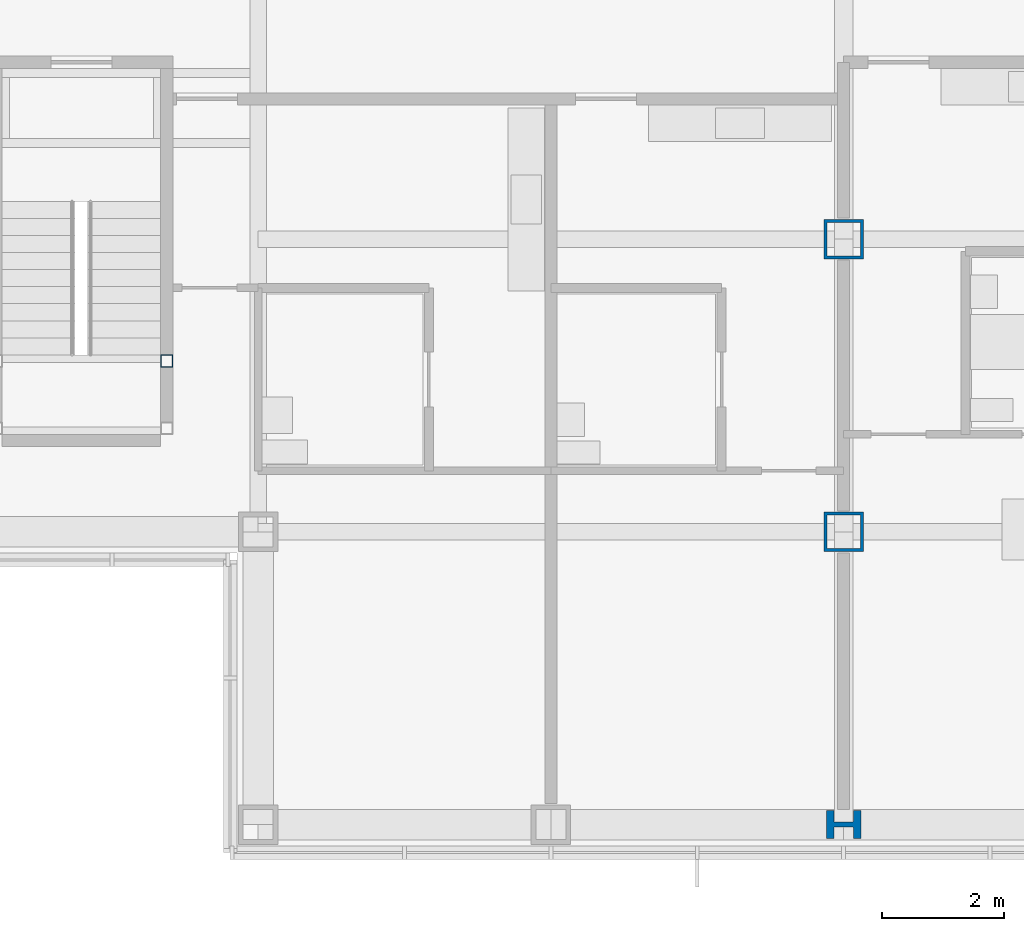
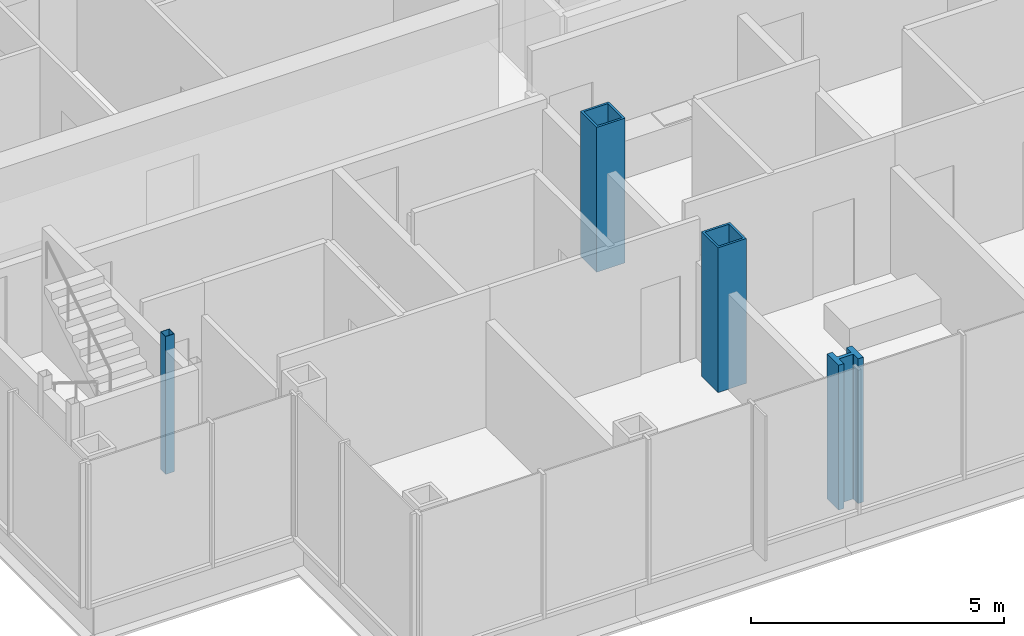
# One storey, part 2 of 20: 4 columns.
"""IFC4 building model written with IfcOpenShell, lengths in metres."""

from ifc_helpers import new_model, si_unit, direction, frame, origin, origin_2d, place, context, subcontext, project, spatial, hollow_rectangle, i_section, extrude, material, material_profile, profile_set, type_object, element, save


model = new_model("IFC4")

# Units and contexts
model_context = context("Model", 3, precision=1e-05, world=origin(), true_north=direction((0.0, 1.0)))
body_context = subcontext(model_context, "Body", "Model", "MODEL_VIEW")
ifc_project = project(units=[si_unit("LENGTHUNIT", "METRE"), si_unit("AREAUNIT", "SQUARE_METRE"), si_unit("VOLUMEUNIT", "CUBIC_METRE"), si_unit("PLANEANGLEUNIT", "RADIAN"), si_unit("MASSUNIT", "GRAM", prefix="KILO")], contexts=[model_context])

# Site, building, storey
site_placement = place(None, origin())
site = spatial("IfcSite", under=ifc_project, at=site_placement, CompositionType="ELEMENT")
building_placement = place(site_placement, origin())
building = spatial("IfcBuilding", under=site, at=building_placement, Name="Kvirike Care Tower", CompositionType="ELEMENT")
storey_placement = place(building_placement, frame((0.0, 0.0, 105.0)))
storey = spatial("IfcBuildingStorey", under=building, at=storey_placement, Name="L28", CompositionType="ELEMENT", Elevation=105.0)

# Columns
ifc_material_1 = material(Name="Steel S460", Category="steel")
ifc_material_profile_1 = material_profile(ifc_material_1, hollow_rectangle(XDim=0.64990234375, YDim=0.64990234375, WallThickness=0.050048828125, at=origin_2d()), Name="BX 650x650x50")
ifc_profile_set_1 = profile_set([ifc_material_profile_1], Name="Steel S460")
column_type_1 = type_object("IfcColumnType", Name="COLUMN BX 650x650x50", PredefinedType="COLUMN", material=ifc_profile_set_1)
for number, where, z_axis, x_axis, name in (
    (1, (28.800048828125, 19.199951171875, 0.0), (0.0, 0.0, 1.0), (1.0, 0.0, 0.0), "Column E9 L28"),
    (2, (28.800048828125, 24.0, 0.0), (0.0, 0.0, 1.0), (1.0, 0.0, 0.0), "Column F9 L28"),
):
    element("IfcColumn", number, at=place(storey_placement, frame(where, z_axis=z_axis, x_axis=x_axis)), inside=storey, type_object=column_type_1, Name=name, PredefinedType="COLUMN", context=body_context, shape_type="SweptSolid", body=[
        extrude(hollow_rectangle(XDim=0.64990234375, YDim=0.64990234375, WallThickness=0.050048828125, at=origin_2d()), origin(), (0.0, 0.0, 1.0), 3.5),
    ])
ifc_material_2 = material(Name="Steel S460", Category="steel")
ifc_material_profile_2 = material_profile(ifc_material_2, i_section(OverallWidth=0.4541015625, OverallDepth=0.569091796875, WebThickness=0.077880859375, FlangeThickness=0.125, FilletRadius=0.014892578125, at=origin_2d()), Name="HD 400x1086")
ifc_profile_set_2 = profile_set([ifc_material_profile_2], Name="Steel S460")
column_type_2 = type_object("IfcColumnType", Name="COLUMN HD 400x1086", PredefinedType="COLUMN", material=ifc_profile_set_2)
column_1_placement = place(storey_placement, frame((28.800048828125, 14.39990234375, 0.0), z_axis=(0.0, 0.0, 1.0), x_axis=(0.0, 1.0, 0.0)))
element("IfcColumn", 3, at=column_1_placement, inside=storey, type_object=column_type_2, Name="Column D9 L28", PredefinedType="COLUMN", context=body_context, shape_type="SweptSolid", body=[
    extrude(i_section(OverallWidth=0.4541015625, OverallDepth=0.569091796875, WebThickness=0.077880859375, FlangeThickness=0.125, FilletRadius=0.014892578125, at=origin_2d()), origin(), (0.0, 0.0, 1.0), 3.5),
])
ifc_material_3 = material(Name="Steel S460", Category="steel")
ifc_material_profile_3 = material_profile(ifc_material_3, hollow_rectangle(XDim=0.199951171875, YDim=0.199951171875, WallThickness=0.008056640625, at=origin_2d()), Name="SHS 200x200x8")
ifc_profile_set_3 = profile_set([ifc_material_profile_3], Name="Steel S460")
column_type_3 = type_object("IfcColumnType", Name="STAIR POST SHS 200x200x8", PredefinedType="COLUMN", material=ifc_profile_set_3)
column_2_placement = place(storey_placement, frame((17.699951171875, 22.0, 0.0), z_axis=(0.0, 0.0, 1.0), x_axis=(1.0, 0.0, 0.0)))
element("IfcColumn", 4, at=column_2_placement, inside=storey, type_object=column_type_3, Name="Stair 5 post 4 L28", PredefinedType="COLUMN", context=body_context, shape_type="SweptSolid", body=[
    extrude(hollow_rectangle(XDim=0.199951171875, YDim=0.199951171875, WallThickness=0.008056640625, at=origin_2d()), origin(), (0.0, 0.0, 1.0), 3.330078125),
])

save(model, "model.ifc")
